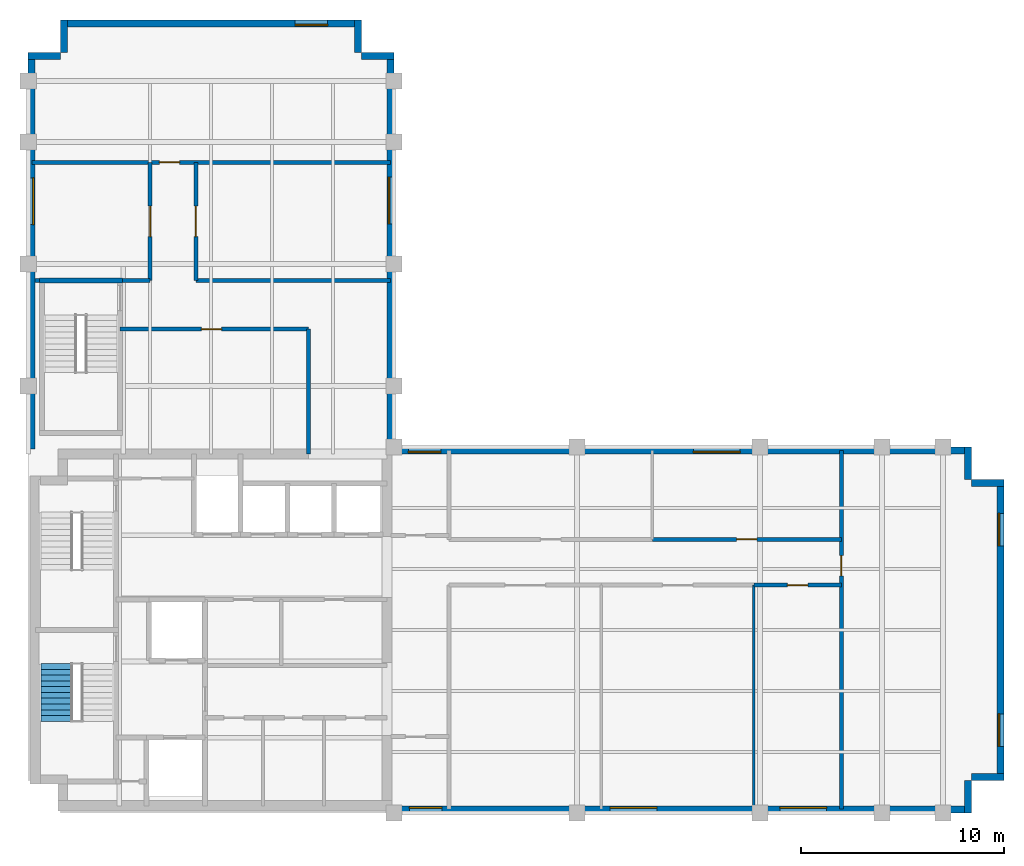
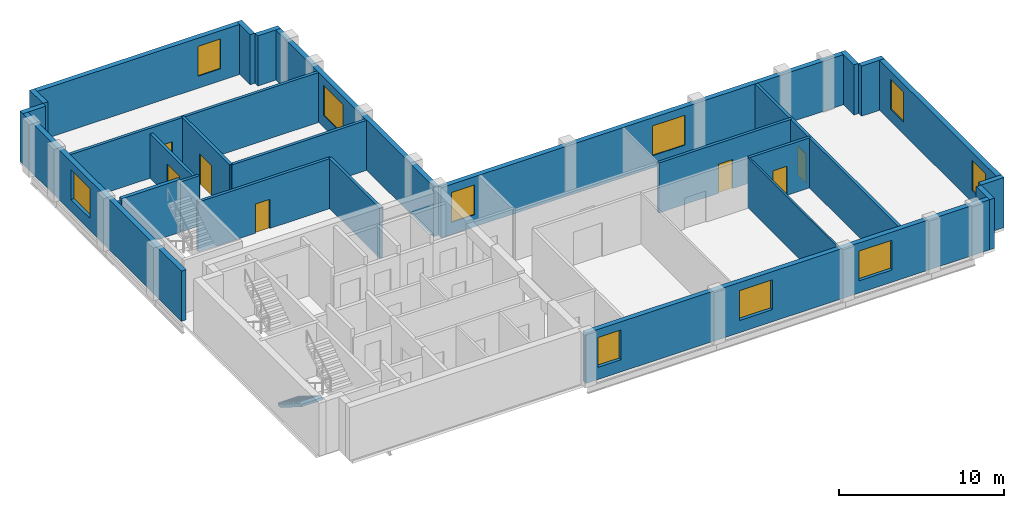
# One storey, part 4 of 6: 27 walls, 10 windows, 7 doors, 1 stair flight, 17 openings, 1 element without a shape of its own.
"""IFC4 building model written with IfcOpenShell, lengths in metres."""

import ifcopenshell
import ifcopenshell.guid

model = None  # the IFC model being written
_history = None  # IfcOwnerHistory: only IFC2X3 demands one
_inside = {}  # id of a spatial element -> (the spatial element, [elements in it])
_under = {}  # id of a project, library or spatial element -> (it, [spatial elements below it])
_declared = {}  # id of a project -> (the project, [libraries it declares])
_typed = {}  # id of a type object -> (the type object, [elements of that type])
_made_of = {}  # id of a material, layer set ... -> (it, [elements and type objects made of it])


def new_model(schema):
    """Start an empty IFC model of exactly this schema.

    Asked for "IFC4X3", IfcOpenShell would pick the latest addendum, in which some entities
    have other attributes; the version numbers below select the first issue.
    IFC2X3 requires an IfcOwnerHistory on every rooted entity: one is made here for all.
    """
    global model, _history
    if schema == "IFC4X3":
        model = ifcopenshell.file(schema_version=(4, 3, 0, 0))
    else:
        model = ifcopenshell.file(schema=schema)
    _inside.clear()
    _under.clear()
    _declared.clear()
    _typed.clear()
    _made_of.clear()
    _history = None
    if model.schema == "IFC2X3":
        org = make("IfcOrganization", Name="unknown")
        user = make(
            "IfcPersonAndOrganization",
            ThePerson=make("IfcPerson", FamilyName="unknown"),
            TheOrganization=org,
        )
        app = make(
            "IfcApplication",
            ApplicationDeveloper=org,
            Version="unknown",
            ApplicationFullName="unknown",
            ApplicationIdentifier="unknown",
        )
        _history = make(
            "IfcOwnerHistory",
            OwningUser=user,
            OwningApplication=app,
            ChangeAction="ADDED",
            CreationDate=0,
        )
    return model


def make(cls, **values):
    """One entity of the class cls with the attributes given. An attribute that is None is left unset."""
    return model.create_entity(
        cls, **{name: value for name, value in values.items() if value is not None}
    )


def rooted(cls, **values):
    """An entity with a GlobalId (a new one), such as an element, a storey or a relation."""
    return make(cls, GlobalId=ifcopenshell.guid.new(), OwnerHistory=_history, **values)


def si_unit(unit_type, name, prefix=None):
    """IfcSIUnit, for example si_unit("LENGTHUNIT", "METRE", prefix="MILLI")."""
    return make("IfcSIUnit", UnitType=unit_type, Prefix=prefix, Name=name)


def assignment(units):
    """IfcUnitAssignment: the units of a project."""
    return None if units is None else make("IfcUnitAssignment", Units=units)


def point(xyz):
    """IfcCartesianPoint."""
    return None if xyz is None else make("IfcCartesianPoint", Coordinates=xyz)


def direction(xyz):
    """IfcDirection."""
    return None if xyz is None else make("IfcDirection", DirectionRatios=xyz)


def frame(location, z_axis=None, x_axis=None):
    """IfcAxis2Placement3D, a coordinate frame: its origin and axes. An axis left out is left unset."""
    return make(
        "IfcAxis2Placement3D",
        Location=point(location),
        Axis=direction(z_axis),
        RefDirection=direction(x_axis),
    )


def frame_2d(location, x_axis=None):
    """IfcAxis2Placement2D, a coordinate frame in the plane: its origin and x axis."""
    return make(
        "IfcAxis2Placement2D", Location=point(location), RefDirection=direction(x_axis)
    )


def origin():
    """The frame at (0, 0, 0) with its axes left unset."""
    return frame((0.0, 0.0, 0.0))


def place(relative_to, where):
    """IfcLocalPlacement: puts the frame where relative to a parent placement (None: the world)."""
    return make(
        "IfcLocalPlacement", PlacementRelTo=relative_to, RelativePlacement=where
    )


def context(
    kind, dimensions, precision=None, world=None, true_north=None, identifier=None
):
    """IfcGeometricRepresentationContext, for example the 3D "Model" context."""
    return make(
        "IfcGeometricRepresentationContext",
        ContextIdentifier=identifier,
        ContextType=kind,
        CoordinateSpaceDimension=dimensions,
        Precision=precision,
        WorldCoordinateSystem=world,
        TrueNorth=true_north,
    )


def subcontext(parent, identifier, kind, view, scale=None):
    """IfcGeometricRepresentationSubContext, for example "Body" below "Model"."""
    return make(
        "IfcGeometricRepresentationSubContext",
        ContextIdentifier=identifier,
        ContextType=kind,
        ParentContext=parent,
        TargetScale=scale,
        TargetView=view,
    )


def project(units=None, contexts=None):
    """IfcProject with its units and contexts."""
    return rooted(
        "IfcProject",
        Name="project",
        RepresentationContexts=contexts,
        UnitsInContext=assignment(units),
    )


def spatial(cls, under=None, at=None, **own):
    """A site, building, storey or space (cls), placed at a placement, below another one or the project."""
    s = rooted(cls, ObjectPlacement=at, **own)
    if under is not None:
        _under.setdefault(under.id(), (under, []))[1].append(s)
    return s


def polyline(points):
    """IfcPolyline through the points."""
    return make("IfcPolyline", Points=[point(p) for p in points])


def profile(cls, at=None, kind="AREA", **sizes):
    """A parametric profile (cls). Its sizes go by their IFC names, for example OverallWidth=200.0."""
    return make(cls, ProfileType=kind, Position=at, **sizes)


def rectangle(**sizes):
    """IfcRectangleProfileDef."""
    return profile("IfcRectangleProfileDef", **sizes)


def outline(outer, holes=None, kind="AREA"):
    """IfcArbitraryClosedProfileDef: a profile drawn as a closed curve; with holes, ...WithVoids."""
    if holes is None:
        return make("IfcArbitraryClosedProfileDef", ProfileType=kind, OuterCurve=outer)
    return make(
        "IfcArbitraryProfileDefWithVoids",
        ProfileType=kind,
        OuterCurve=outer,
        InnerCurves=holes,
    )


def extrude(swept, where, along, depth):
    """IfcExtrudedAreaSolid: the profile swept, set in the frame where, extruded along a direction by depth."""
    return make(
        "IfcExtrudedAreaSolid",
        SweptArea=swept,
        Position=where,
        ExtrudedDirection=direction(along),
        Depth=depth,
    )


def shape(context_of_items, identifier, shape_type, items):
    """IfcShapeRepresentation: the items that make up one representation, for example the "Body"."""
    return make(
        "IfcShapeRepresentation",
        ContextOfItems=context_of_items,
        RepresentationIdentifier=identifier,
        RepresentationType=shape_type,
        Items=items,
    )


def material(Name=None, Category=None):
    """IfcMaterial."""
    return make("IfcMaterial", Name=Name, Category=Category)


def layer(
    of_material, thickness, ventilated=None, Name=None, Category=None, Priority=None
):
    """IfcMaterialLayer: one layer of a wall or slab, of a material (None: an air gap)."""
    return make(
        "IfcMaterialLayer",
        Material=of_material,
        LayerThickness=thickness,
        IsVentilated=ventilated,
        Name=Name,
        Category=Category,
        Priority=Priority,
    )


def layer_set(layers, Name=None):
    """IfcMaterialLayerSet."""
    return make("IfcMaterialLayerSet", MaterialLayers=layers, LayerSetName=Name)


def made_of(thing, what):
    """Note that an element or type object is made of a material, layer set ...; save() writes the relation."""
    if what is not None:
        _made_of.setdefault(what.id(), (what, []))[1].append(thing)
    return thing


def type_object(cls, material=None, **own):
    """A type object (cls), such as IfcWallType, which elements share."""
    return made_of(rooted(cls, **own), material)


def element(
    cls,
    number,
    at=None,
    inside=None,
    cuts=None,
    type_object=None,
    material=None,
    context=None,
    identifier="Body",
    shape_type=None,
    held_by="IfcProductDefinitionShape",
    body=None,
    shapes=None,
    **own,
):
    """One element of the class cls, such as IfcWall. Its Tag is "e" and its number.

    at: its placement. inside: the storey or other place that contains it. cuts: it is an
    opening in that element (IfcRelVoidsElement). A single representation is given by context,
    identifier, shape_type and body (its items); several are given by shapes. held_by: the class
    of the entity that holds the representations. save() writes the other relations.
    """
    e = rooted(cls, Tag="e%d" % number, ObjectPlacement=at, **own)
    if body is not None:
        shapes = [shape(context, identifier, shape_type, body)]
    if shapes is not None:
        e.Representation = make(held_by, Representations=shapes)
    if inside is not None:
        _inside.setdefault(inside.id(), (inside, []))[1].append(e)
    if cuts is not None:
        rooted(
            "IfcRelVoidsElement", RelatingBuildingElement=cuts, RelatedOpeningElement=e
        )
    if type_object is not None:
        _typed.setdefault(type_object.id(), (type_object, []))[1].append(e)
    return made_of(e, material)


def fill(opening, filler):
    """IfcRelFillsElement: the door or window that sits in an opening."""
    return rooted(
        "IfcRelFillsElement",
        RelatingOpeningElement=opening,
        RelatedBuildingElement=filler,
    )


def aggregate(whole, parts):
    """IfcRelAggregates: a whole, such as a stair, and the parts it consists of."""
    return rooted("IfcRelAggregates", RelatingObject=whole, RelatedObjects=parts)


def save(model, path):
    """Write the relations noted so far, then the file.

    IfcRelAggregates (storeys below a building ...), IfcRelContainedInSpatialStructure (elements
    in a storey), IfcRelDefinesByType, IfcRelAssociatesMaterial and IfcRelDeclares: one each for
    every whole, place, type object, material and project.
    """
    for whole, parts in _under.values():
        aggregate(whole, parts)
    for where, things in _inside.values():
        rooted(
            "IfcRelContainedInSpatialStructure",
            RelatedElements=things,
            RelatingStructure=where,
        )
    for kind, things in _typed.values():
        rooted("IfcRelDefinesByType", RelatedObjects=things, RelatingType=kind)
    for what, things in _made_of.values():
        rooted("IfcRelAssociatesMaterial", RelatedObjects=things, RelatingMaterial=what)
    for by, libraries in _declared.values():
        rooted("IfcRelDeclares", RelatingContext=by, RelatedDefinitions=libraries)
    model.write(path)


model = new_model("IFC4")

# Units and contexts
model_context = context("Model", 3, precision=1e-05, world=origin(), true_north=direction((0.0, 1.0)))
body_context = subcontext(model_context, "Body", "Model", "MODEL_VIEW")
ifc_project = project(units=[si_unit("LENGTHUNIT", "METRE"), si_unit("AREAUNIT", "SQUARE_METRE"), si_unit("VOLUMEUNIT", "CUBIC_METRE"), si_unit("PLANEANGLEUNIT", "RADIAN"), si_unit("MASSUNIT", "GRAM", prefix="KILO")], contexts=[model_context])

# Site, building, storey
site_placement = place(None, origin())
site = spatial("IfcSite", under=ifc_project, at=site_placement, CompositionType="ELEMENT")
building_placement = place(site_placement, origin())
building = spatial("IfcBuilding", under=site, at=building_placement, Name="Mawjdan Bourse Tower", CompositionType="ELEMENT")
storey_placement = place(building_placement, frame((0.0, 0.0, 246.89990234375)))
storey = spatial("IfcBuildingStorey", under=building, at=storey_placement, Name="L60", CompositionType="ELEMENT", Elevation=246.89990234375)

# Wall, openings, windows
ifc_material_1 = material(Name="Brick Masonry Buff", Category="masonry")
ifc_layer_1 = layer(ifc_material_1, 0.340087890625)
ifc_layer_set_1 = layer_set([ifc_layer_1], Name="Brick Masonry Buff")
wall_type_1 = type_object("IfcWallType", Name="WL-BRK-SPN-340", PredefinedType="STANDARD", material=ifc_layer_set_1)
wall_1_placement = place(storey_placement, frame((23.89990234375, 3.169921875, 0.0), z_axis=(0.0, 0.0, 1.0), x_axis=(1.0, 0.0, 0.0)))
wall_1 = element("IfcWall", 1, at=wall_1_placement, inside=storey, type_object=wall_type_1, Name="L60 Exterior Brick Wall 1", PredefinedType="STANDARD", context=body_context, shape_type="SweptSolid", body=[
    extrude(rectangle(XDim=28.5, YDim=0.340087890625, at=frame_2d((14.25, 0.0))), origin(), (0.0, 0.0, 1.0), 3.7001953125),
])
opening_1_placement = place(wall_1_placement, frame((10.72509765625, 0.0, 0.89990234375)))
opening_1 = element("IfcOpeningElement", 2, at=opening_1_placement, cuts=wall_1, Name="Opening W-L60-01", PredefinedType="OPENING", context=body_context, shape_type="SweptSolid", body=[
    extrude(rectangle(XDim=2.300048828125, YDim=2.199951171875, at=frame_2d((1.14990234375, 1.10009765625))), frame((0.0, 0.18017578125, 0.0), z_axis=(0.0, -1.0, 0.0), x_axis=(1.0, 0.0, 0.0)), (0.0, 0.0, 1.0), 0.360107421875),
])
opening_2_placement = place(wall_1_placement, frame((0.85009765625, 0.0, 0.89990234375)))
opening_2 = element("IfcOpeningElement", 3, at=opening_2_placement, cuts=wall_1, Name="Opening W-L60-07", PredefinedType="OPENING", context=body_context, shape_type="SweptSolid", body=[
    extrude(rectangle(XDim=1.60009765625, YDim=2.199951171875, at=frame_2d((0.800048828125, 1.10009765625))), frame((0.0, 0.18017578125, 0.0), z_axis=(0.0, -1.0, 0.0), x_axis=(1.0, 0.0, 0.0)), (0.0, 0.0, 1.0), 0.360107421875),
])
opening_3_placement = place(wall_1_placement, frame((19.07470703125, 0.0, 0.89990234375)))
opening_3 = element("IfcOpeningElement", 4, at=opening_3_placement, cuts=wall_1, Name="Opening W-L60-09", PredefinedType="OPENING", context=body_context, shape_type="SweptSolid", body=[
    extrude(rectangle(XDim=2.300048828125, YDim=2.199951171875, at=frame_2d((1.14990234375, 1.10009765625))), frame((0.0, 0.18017578125, 0.0), z_axis=(0.0, -1.0, 0.0), x_axis=(1.0, 0.0, 0.0)), (0.0, 0.0, 1.0), 0.360107421875),
])
ifc_material_2 = material(Name="Solar-Control Clear Double Glazing", Category="glass")
window_type_1 = type_object("IfcWindowType", Name="WN-Z3-1600", PartitioningType="SINGLE_PANEL", PredefinedType="WINDOW", material=ifc_material_2)
window_1_placement = place(opening_2_placement, origin())
window_1 = element("IfcWindow", 5, at=window_1_placement, inside=storey, type_object=window_type_1, Name="L60 Deep-Set Masonry Window W-L60-07", OverallHeight=2.199951171875, OverallWidth=1.60009765625, PartitioningType="SINGLE_PANEL", PredefinedType="WINDOW", context=body_context, shape_type="SweptSolid", body=[
    extrude(rectangle(XDim=1.60009765625, YDim=2.199951171875, at=frame_2d((0.800048828125, 1.10009765625))), frame((0.0, 0.110107421875, 0.0), z_axis=(0.0, -1.0, 0.0), x_axis=(1.0, 0.0, 0.0)), (0.0, 0.0, 1.0), 0.06005859375),
])
fill(opening_2, window_1)
window_type_2 = type_object("IfcWindowType", Name="WN-Z3-2300", PartitioningType="SINGLE_PANEL", PredefinedType="WINDOW", material=ifc_material_2)
window_2_placement = place(opening_1_placement, origin())
window_2 = element("IfcWindow", 6, at=window_2_placement, inside=storey, type_object=window_type_2, Name="L60 Deep-Set Masonry Window W-L60-01", OverallHeight=2.199951171875, OverallWidth=2.300048828125, PartitioningType="SINGLE_PANEL", PredefinedType="WINDOW", context=body_context, shape_type="SweptSolid", body=[
    extrude(rectangle(XDim=2.300048828125, YDim=2.199951171875, at=frame_2d((1.14990234375, 1.10009765625))), frame((0.0, 0.110107421875, 0.0), z_axis=(0.0, -1.0, 0.0), x_axis=(1.0, 0.0, 0.0)), (0.0, 0.0, 1.0), 0.06005859375),
])
fill(opening_1, window_2)
window_3_placement = place(opening_3_placement, origin())
window_3 = element("IfcWindow", 7, at=window_3_placement, inside=storey, type_object=window_type_2, Name="L60 Deep-Set Masonry Window W-L60-09", OverallHeight=2.199951171875, OverallWidth=2.300048828125, PartitioningType="SINGLE_PANEL", PredefinedType="WINDOW", context=body_context, shape_type="SweptSolid", body=[
    extrude(rectangle(XDim=2.300048828125, YDim=2.199951171875, at=frame_2d((1.14990234375, 1.10009765625))), frame((0.0, 0.110107421875, 0.0), z_axis=(0.0, -1.0, 0.0), x_axis=(1.0, 0.0, 0.0)), (0.0, 0.0, 1.0), 0.06005859375),
])
fill(opening_3, window_3)

# Walls
for number, where, z_axis, x_axis, name in (
    (8, (52.22998046875, 3.0, 0.0), (0.0, 0.0, 1.0), (0.0, 1.0, 0.0), "L60 Exterior Brick Wall 2"),
    (9, (52.39990234375, 4.77001953125, 0.0), (0.0, 0.0, 1.0), (1.0, 0.0, 0.0), "L60 Exterior Brick Wall 3"),
):
    element("IfcWall", number, at=place(storey_placement, frame(where, z_axis=z_axis, x_axis=x_axis)), inside=storey, type_object=wall_type_1, Name=name, PredefinedType="STANDARD", context=body_context, shape_type="SweptSolid", body=[
        extrude(rectangle(XDim=1.60009765625, YDim=0.340087890625, at=frame_2d((0.800048828125, 0.0))), origin(), (0.0, 0.0, 1.0), 3.7001953125),
    ])

# Wall, openings, windows
wall_2_placement = place(storey_placement, frame((53.830078125, 4.60009765625, 0.0), z_axis=(0.0, 0.0, 1.0), x_axis=(0.0, 1.0, 0.0)))
wall_2 = element("IfcWall", 10, at=wall_2_placement, inside=storey, type_object=wall_type_1, Name="L60 Exterior Brick Wall 4", PredefinedType="STANDARD", context=body_context, shape_type="SweptSolid", body=[
    extrude(rectangle(XDim=14.7998046875, YDim=0.340087890625, at=frame_2d((7.39990234375, 0.0))), origin(), (0.0, 0.0, 1.0), 3.7001953125),
])
opening_4_placement = place(wall_2_placement, frame((1.666748046875, 0.0, 0.89990234375)))
opening_4 = element("IfcOpeningElement", 11, at=opening_4_placement, cuts=wall_2, Name="Opening W-L60-02", PredefinedType="OPENING", context=body_context, shape_type="SweptSolid", body=[
    extrude(rectangle(XDim=1.60009765625, YDim=2.199951171875, at=frame_2d((0.800048828125, 1.10009765625))), frame((0.0, 0.18017578125, 0.0), z_axis=(0.0, -1.0, 0.0), x_axis=(1.0, 0.0, 0.0)), (0.0, 0.0, 1.0), 0.360107421875),
])
opening_5_placement = place(wall_2_placement, frame((11.533203125, 0.0, 0.89990234375)))
opening_5 = element("IfcOpeningElement", 12, at=opening_5_placement, cuts=wall_2, Name="Opening W-L60-03", PredefinedType="OPENING", context=body_context, shape_type="SweptSolid", body=[
    extrude(rectangle(XDim=1.60009765625, YDim=2.199951171875, at=frame_2d((0.800048828125, 1.10009765625))), frame((0.0, 0.18017578125, 0.0), z_axis=(0.0, -1.0, 0.0), x_axis=(1.0, 0.0, 0.0)), (0.0, 0.0, 1.0), 0.360107421875),
])
window_4_placement = place(opening_4_placement, origin())
window_4 = element("IfcWindow", 13, at=window_4_placement, inside=storey, type_object=window_type_1, Name="L60 Deep-Set Masonry Window W-L60-02", OverallHeight=2.199951171875, OverallWidth=1.60009765625, PartitioningType="SINGLE_PANEL", PredefinedType="WINDOW", context=body_context, shape_type="SweptSolid", body=[
    extrude(rectangle(XDim=1.60009765625, YDim=2.199951171875, at=frame_2d((0.800048828125, 1.10009765625))), frame((0.0, 0.110107421875, 0.0), z_axis=(0.0, -1.0, 0.0), x_axis=(1.0, 0.0, 0.0)), (0.0, 0.0, 1.0), 0.06005859375),
])
fill(opening_4, window_4)
window_5_placement = place(opening_5_placement, origin())
window_5 = element("IfcWindow", 14, at=window_5_placement, inside=storey, type_object=window_type_1, Name="L60 Deep-Set Masonry Window W-L60-03", OverallHeight=2.199951171875, OverallWidth=1.60009765625, PartitioningType="SINGLE_PANEL", PredefinedType="WINDOW", context=body_context, shape_type="SweptSolid", body=[
    extrude(rectangle(XDim=1.60009765625, YDim=2.199951171875, at=frame_2d((0.800048828125, 1.10009765625))), frame((0.0, 0.110107421875, 0.0), z_axis=(0.0, -1.0, 0.0), x_axis=(1.0, 0.0, 0.0)), (0.0, 0.0, 1.0), 0.06005859375),
])
fill(opening_5, window_5)

# Walls
for number, where, z_axis, x_axis, name in (
    (15, (54.0, 19.22998046875, 0.0), (0.0, 0.0, 1.0), (-1.0, 0.0, 0.0), "L60 Exterior Brick Wall 5"),
    (16, (52.22998046875, 19.39990234375, 0.0), (0.0, 0.0, 1.0), (0.0, 1.0, 0.0), "L60 Exterior Brick Wall 6"),
):
    element("IfcWall", number, at=place(storey_placement, frame(where, z_axis=z_axis, x_axis=x_axis)), inside=storey, type_object=wall_type_1, Name=name, PredefinedType="STANDARD", context=body_context, shape_type="SweptSolid", body=[
        extrude(rectangle(XDim=1.60009765625, YDim=0.340087890625, at=frame_2d((0.800048828125, 0.0))), origin(), (0.0, 0.0, 1.0), 3.7001953125),
    ])

# Wall, openings, windows
wall_3_placement = place(storey_placement, frame((52.39990234375, 20.830078125, 0.0), z_axis=(0.0, 0.0, 1.0), x_axis=(-1.0, 0.0, 0.0)))
wall_3 = element("IfcWall", 17, at=wall_3_placement, inside=storey, type_object=wall_type_1, Name="L60 Exterior Brick Wall 7", PredefinedType="STANDARD", context=body_context, shape_type="SweptSolid", body=[
    extrude(rectangle(XDim=28.39990234375, YDim=0.340087890625, at=frame_2d((14.199951171875, 0.0))), origin(), (0.0, 0.0, 1.0), 3.7001953125),
])
opening_6_placement = place(wall_3_placement, frame((26.095703125, 0.0, 0.89990234375)))
opening_6 = element("IfcOpeningElement", 18, at=opening_6_placement, cuts=wall_3, Name="Opening W-L60-08", PredefinedType="OPENING", context=body_context, shape_type="SweptSolid", body=[
    extrude(rectangle(XDim=1.60009765625, YDim=2.199951171875, at=frame_2d((0.800048828125, 1.10009765625))), frame((0.0, 0.18017578125, 0.0), z_axis=(0.0, -1.0, 0.0), x_axis=(1.0, 0.0, 0.0)), (0.0, 0.0, 1.0), 0.360107421875),
])
opening_7_placement = place(wall_3_placement, frame((11.374755859375, 0.0, 0.89990234375)))
opening_7 = element("IfcOpeningElement", 19, at=opening_7_placement, cuts=wall_3, Name="Opening W-L60-10", PredefinedType="OPENING", context=body_context, shape_type="SweptSolid", body=[
    extrude(rectangle(XDim=2.300048828125, YDim=2.199951171875, at=frame_2d((1.14990234375, 1.10009765625))), frame((0.0, 0.18017578125, 0.0), z_axis=(0.0, -1.0, 0.0), x_axis=(1.0, 0.0, 0.0)), (0.0, 0.0, 1.0), 0.360107421875),
])
window_6_placement = place(opening_6_placement, origin())
window_6 = element("IfcWindow", 20, at=window_6_placement, inside=storey, type_object=window_type_1, Name="L60 Deep-Set Masonry Window W-L60-08", OverallHeight=2.199951171875, OverallWidth=1.60009765625, PartitioningType="SINGLE_PANEL", PredefinedType="WINDOW", context=body_context, shape_type="SweptSolid", body=[
    extrude(rectangle(XDim=1.60009765625, YDim=2.199951171875, at=frame_2d((0.800048828125, 1.10009765625))), frame((0.0, 0.110107421875, 0.0), z_axis=(0.0, -1.0, 0.0), x_axis=(1.0, 0.0, 0.0)), (0.0, 0.0, 1.0), 0.06005859375),
])
fill(opening_6, window_6)
window_7_placement = place(opening_7_placement, origin())
window_7 = element("IfcWindow", 21, at=window_7_placement, inside=storey, type_object=window_type_2, Name="L60 Deep-Set Masonry Window W-L60-10", OverallHeight=2.199951171875, OverallWidth=2.300048828125, PartitioningType="SINGLE_PANEL", PredefinedType="WINDOW", context=body_context, shape_type="SweptSolid", body=[
    extrude(rectangle(XDim=2.300048828125, YDim=2.199951171875, at=frame_2d((1.14990234375, 1.10009765625))), frame((0.0, 0.110107421875, 0.0), z_axis=(0.0, -1.0, 0.0), x_axis=(1.0, 0.0, 0.0)), (0.0, 0.0, 1.0), 0.06005859375),
])
fill(opening_7, window_7)

# Wall, opening, window
wall_4_placement = place(storey_placement, frame((23.830078125, 21.0, 0.0), z_axis=(0.0, 0.0, 1.0), x_axis=(0.0, 1.0, 0.0)))
wall_4 = element("IfcWall", 22, at=wall_4_placement, inside=storey, type_object=wall_type_1, Name="L60 Exterior Brick Wall 8", PredefinedType="STANDARD", context=body_context, shape_type="SweptSolid", body=[
    extrude(rectangle(XDim=19.39990234375, YDim=0.340087890625, at=frame_2d((9.699951171875, 0.0))), origin(), (0.0, 0.0, 1.0), 3.7001953125),
])
opening_8_placement = place(wall_4_placement, frame((10.97509765625, 0.0, 0.89990234375)))
opening_8 = element("IfcOpeningElement", 23, at=opening_8_placement, cuts=wall_4, Name="Opening W-L60-04", PredefinedType="OPENING", context=body_context, shape_type="SweptSolid", body=[
    extrude(rectangle(XDim=2.300048828125, YDim=2.199951171875, at=frame_2d((1.14990234375, 1.10009765625))), frame((0.0, 0.18017578125, 0.0), z_axis=(0.0, -1.0, 0.0), x_axis=(1.0, 0.0, 0.0)), (0.0, 0.0, 1.0), 0.360107421875),
])
window_8_placement = place(opening_8_placement, origin())
window_8 = element("IfcWindow", 24, at=window_8_placement, inside=storey, type_object=window_type_2, Name="L60 Deep-Set Masonry Window W-L60-04", OverallHeight=2.199951171875, OverallWidth=2.300048828125, PartitioningType="SINGLE_PANEL", PredefinedType="WINDOW", context=body_context, shape_type="SweptSolid", body=[
    extrude(rectangle(XDim=2.300048828125, YDim=2.199951171875, at=frame_2d((1.14990234375, 1.10009765625))), frame((0.0, 0.110107421875, 0.0), z_axis=(0.0, -1.0, 0.0), x_axis=(1.0, 0.0, 0.0)), (0.0, 0.0, 1.0), 0.06005859375),
])
fill(opening_8, window_8)

# Walls
for number, where, z_axis, x_axis, name in (
    (25, (24.0, 40.22998046875, 0.0), (0.0, 0.0, 1.0), (-1.0, 0.0, 0.0), "L60 Exterior Brick Wall 9"),
    (26, (22.22998046875, 40.39990234375, 0.0), (0.0, 0.0, 1.0), (0.0, 1.0, 0.0), "L60 Exterior Brick Wall 10"),
):
    element("IfcWall", number, at=place(storey_placement, frame(where, z_axis=z_axis, x_axis=x_axis)), inside=storey, type_object=wall_type_1, Name=name, PredefinedType="STANDARD", context=body_context, shape_type="SweptSolid", body=[
        extrude(rectangle(XDim=1.60009765625, YDim=0.340087890625, at=frame_2d((0.800048828125, 0.0))), origin(), (0.0, 0.0, 1.0), 3.7001953125),
    ])

# Wall, opening, window
wall_5_placement = place(storey_placement, frame((22.39990234375, 41.830078125, 0.0), z_axis=(0.0, 0.0, 1.0), x_axis=(-1.0, 0.0, 0.0)))
wall_5 = element("IfcWall", 27, at=wall_5_placement, inside=storey, type_object=wall_type_1, Name="L60 Exterior Brick Wall 11", PredefinedType="STANDARD", context=body_context, shape_type="SweptSolid", body=[
    extrude(rectangle(XDim=14.7998046875, YDim=0.340087890625, at=frame_2d((7.39990234375, 0.0))), origin(), (0.0, 0.0, 1.0), 3.7001953125),
])
opening_9_placement = place(wall_5_placement, frame((1.666748046875, 0.0, 0.89990234375)))
opening_9 = element("IfcOpeningElement", 28, at=opening_9_placement, cuts=wall_5, Name="Opening W-L60-05", PredefinedType="OPENING", context=body_context, shape_type="SweptSolid", body=[
    extrude(rectangle(XDim=1.60009765625, YDim=2.199951171875, at=frame_2d((0.800048828125, 1.10009765625))), frame((0.0, 0.18017578125, 0.0), z_axis=(0.0, -1.0, 0.0), x_axis=(1.0, 0.0, 0.0)), (0.0, 0.0, 1.0), 0.360107421875),
])
window_9_placement = place(opening_9_placement, origin())
window_9 = element("IfcWindow", 29, at=window_9_placement, inside=storey, type_object=window_type_1, Name="L60 Deep-Set Masonry Window W-L60-05", OverallHeight=2.199951171875, OverallWidth=1.60009765625, PartitioningType="SINGLE_PANEL", PredefinedType="WINDOW", context=body_context, shape_type="SweptSolid", body=[
    extrude(rectangle(XDim=1.60009765625, YDim=2.199951171875, at=frame_2d((0.800048828125, 1.10009765625))), frame((0.0, 0.110107421875, 0.0), z_axis=(0.0, -1.0, 0.0), x_axis=(1.0, 0.0, 0.0)), (0.0, 0.0, 1.0), 0.06005859375),
])
fill(opening_9, window_9)

# Walls
for number, where, z_axis, x_axis, name in (
    (30, (7.77001953125, 42.0, 0.0), (0.0, 0.0, 1.0), (0.0, -1.0, 0.0), "L60 Exterior Brick Wall 12"),
    (31, (7.60009765625, 40.22998046875, 0.0), (0.0, 0.0, 1.0), (-1.0, 0.0, 0.0), "L60 Exterior Brick Wall 13"),
):
    element("IfcWall", number, at=place(storey_placement, frame(where, z_axis=z_axis, x_axis=x_axis)), inside=storey, type_object=wall_type_1, Name=name, PredefinedType="STANDARD", context=body_context, shape_type="SweptSolid", body=[
        extrude(rectangle(XDim=1.60009765625, YDim=0.340087890625, at=frame_2d((0.800048828125, 0.0))), origin(), (0.0, 0.0, 1.0), 3.7001953125),
    ])

# Wall, opening, window
wall_6_placement = place(storey_placement, frame((6.169921875, 40.39990234375, 0.0), z_axis=(0.0, 0.0, 1.0), x_axis=(0.0, -1.0, 0.0)))
wall_6 = element("IfcWall", 32, at=wall_6_placement, inside=storey, type_object=wall_type_1, Name="L60 Exterior Brick Wall 14", PredefinedType="STANDARD", context=body_context, shape_type="SweptSolid", body=[
    extrude(rectangle(XDim=19.5, YDim=0.340087890625, at=frame_2d((9.75, 0.0))), origin(), (0.0, 0.0, 1.0), 3.7001953125),
])
opening_10_placement = place(wall_6_placement, frame((6.16259765625, 0.0, 0.89990234375)))
opening_10 = element("IfcOpeningElement", 33, at=opening_10_placement, cuts=wall_6, Name="Opening W-L60-06", PredefinedType="OPENING", context=body_context, shape_type="SweptSolid", body=[
    extrude(rectangle(XDim=2.300048828125, YDim=2.199951171875, at=frame_2d((1.14990234375, 1.10009765625))), frame((0.0, 0.18017578125, 0.0), z_axis=(0.0, -1.0, 0.0), x_axis=(1.0, 0.0, 0.0)), (0.0, 0.0, 1.0), 0.360107421875),
])
window_10_placement = place(opening_10_placement, origin())
window_10 = element("IfcWindow", 34, at=window_10_placement, inside=storey, type_object=window_type_2, Name="L60 Deep-Set Masonry Window W-L60-06", OverallHeight=2.199951171875, OverallWidth=2.300048828125, PartitioningType="SINGLE_PANEL", PredefinedType="WINDOW", context=body_context, shape_type="SweptSolid", body=[
    extrude(rectangle(XDim=2.300048828125, YDim=2.199951171875, at=frame_2d((1.14990234375, 1.10009765625))), frame((0.0, 0.110107421875, 0.0), z_axis=(0.0, -1.0, 0.0), x_axis=(1.0, 0.0, 0.0)), (0.0, 0.0, 1.0), 0.06005859375),
])
fill(opening_10, window_10)

# Wall, opening, door
ifc_material_3 = material(Name="Gypsum Fireboard Assembly")
ifc_layer_2 = layer(ifc_material_3, 0.199951171875)
ifc_layer_set_2 = layer_set([ifc_layer_2], Name="Gypsum Fireboard Assembly")
wall_type_2 = type_object("IfcWallType", Name="WL-CMP-200", PredefinedType="PARTITIONING", material=ifc_layer_set_2)
wall_7_placement = place(storey_placement, frame((41.699951171875, 14.199951171875, 0.0), z_axis=(0.0, 0.0, 1.0), x_axis=(1.0, 0.0, 0.0)))
wall_7 = element("IfcWall", 35, at=wall_7_placement, inside=storey, type_object=wall_type_2, Name="L60 Executive Office Corridor Wall", PredefinedType="PARTITIONING", context=body_context, shape_type="SweptSolid", body=[
    extrude(rectangle(XDim=4.300048828125, YDim=0.199951171875, at=frame_2d((2.14990234375, 0.0))), origin(), (0.0, 0.0, 1.0), 3.690185546875),
])
opening_11_placement = place(wall_7_placement, frame((1.64990234375, 0.0, 0.0)))
opening_11 = element("IfcOpeningElement", 36, at=opening_11_placement, cuts=wall_7, Name="Opening D-L60-24", PredefinedType="OPENING", context=body_context, shape_type="SweptSolid", body=[
    extrude(rectangle(XDim=1.0, YDim=2.14990234375, at=frame_2d((0.5, 1.074951171875))), frame((0.0, 0.10986328125, 0.0), z_axis=(0.0, -1.0, 0.0), x_axis=(1.0, 0.0, 0.0)), (0.0, 0.0, 1.0), 0.219970703125),
])
ifc_material_4 = material(Name="Hardwood Acoustic Leaf", Category="wood")
door_type_1 = type_object("IfcDoorType", Name="DR-OFC-1000", OperationType="NOTDEFINED", PredefinedType="DOOR", material=ifc_material_4)
door_1_placement = place(opening_11_placement, origin())
door_1 = element("IfcDoor", 37, at=door_1_placement, inside=storey, type_object=door_type_1, Name="L60 Executive Office Door D-L60-24", OperationType="SINGLE_SWING_RIGHT", OverallHeight=2.14990234375, OverallWidth=1.0, PredefinedType="DOOR", context=body_context, shape_type="SweptSolid", body=[
    extrude(rectangle(XDim=1.0, YDim=2.14990234375, at=frame_2d((0.5, 1.074951171875))), frame((0.0, 0.02490234375, 0.0), z_axis=(0.0, -1.0, 0.0), x_axis=(1.0, 0.0, 0.0)), (0.0, 0.0, 1.0), 0.050048828125),
])
fill(opening_11, door_1)

wall_8_placement = place(storey_placement, frame((36.699951171875, 16.449951171875, 0.0), z_axis=(0.0, 0.0, 1.0), x_axis=(1.0, 0.0, 0.0)))
wall_8 = element("IfcWall", 38, at=wall_8_placement, inside=storey, type_object=wall_type_2, Name="L60 Cross-Border Clearing Suite Corridor Wall", PredefinedType="PARTITIONING", context=body_context, shape_type="SweptSolid", body=[
    extrude(rectangle(XDim=9.300048828125, YDim=0.199951171875, at=frame_2d((4.64990234375, 0.0))), origin(), (0.0, 0.0, 1.0), 3.690185546875),
])
opening_12_placement = place(wall_8_placement, frame((4.14990234375, 0.0, 0.0)))
opening_12 = element("IfcOpeningElement", 39, at=opening_12_placement, cuts=wall_8, Name="Opening D-L60-26", PredefinedType="OPENING", context=body_context, shape_type="SweptSolid", body=[
    extrude(rectangle(XDim=1.0, YDim=2.14990234375, at=frame_2d((0.5, 1.074951171875))), frame((0.0, 0.10986328125, 0.0), z_axis=(0.0, -1.0, 0.0), x_axis=(1.0, 0.0, 0.0)), (0.0, 0.0, 1.0), 0.219970703125),
])
door_2_placement = place(opening_12_placement, origin())
door_2 = element("IfcDoor", 40, at=door_2_placement, inside=storey, type_object=door_type_1, Name="L60 Cross-Border Clearing Suite Door D-L60-26", OperationType="SINGLE_SWING_RIGHT", OverallHeight=2.14990234375, OverallWidth=1.0, PredefinedType="DOOR", context=body_context, shape_type="SweptSolid", body=[
    extrude(rectangle(XDim=1.0, YDim=2.14990234375, at=frame_2d((0.5, 1.074951171875))), frame((0.0, 0.02490234375, 0.0), z_axis=(0.0, -1.0, 0.0), x_axis=(1.0, 0.0, 0.0)), (0.0, 0.0, 1.0), 0.050048828125),
])
fill(opening_12, door_2)

wall_9_placement = place(storey_placement, frame((46.0, 3.179931640625, 0.0), z_axis=(0.0, 0.0, 1.0), x_axis=(0.0, 1.0, 0.0)))
wall_9 = element("IfcWall", 41, at=wall_9_placement, inside=storey, type_object=wall_type_2, Name="L60 East Tip Full Cross Wall", PredefinedType="PARTITIONING", context=body_context, shape_type="SweptSolid", body=[
    extrude(rectangle(XDim=17.64013671875, YDim=0.199951171875, at=frame_2d((8.820068359375, 0.0))), origin(), (0.0, 0.0, 1.0), 3.690185546875),
])
opening_13_placement = place(wall_9_placement, frame((11.47509765625, 0.0, 0.0)))
opening_13 = element("IfcOpeningElement", 42, at=opening_13_placement, cuts=wall_9, Name="Opening D-L60-27", PredefinedType="OPENING", context=body_context, shape_type="SweptSolid", body=[
    extrude(rectangle(XDim=1.0, YDim=2.14990234375, at=frame_2d((0.5, 1.074951171875))), frame((0.0, 0.10986328125, 0.0), z_axis=(0.0, -1.0, 0.0), x_axis=(1.0, 0.0, 0.0)), (0.0, 0.0, 1.0), 0.219970703125),
])
door_3_placement = place(opening_13_placement, origin())
door_3 = element("IfcDoor", 43, at=door_3_placement, inside=storey, type_object=door_type_1, Name="L60 East Tip Hall Door D-L60-27", OperationType="SINGLE_SWING_LEFT", OverallHeight=2.14990234375, OverallWidth=1.0, PredefinedType="DOOR", context=body_context, shape_type="SweptSolid", body=[
    extrude(rectangle(XDim=1.0, YDim=2.14990234375, at=frame_2d((0.5, 1.074951171875))), frame((0.0, 0.02490234375, 0.0), z_axis=(0.0, -1.0, 0.0), x_axis=(1.0, 0.0, 0.0)), (0.0, 0.0, 1.0), 0.050048828125),
])
fill(opening_13, door_3)

wall_10_placement = place(storey_placement, frame((10.52001953125, 26.800048828125, 0.0), z_axis=(0.0, 0.0, 1.0), x_axis=(1.0, 0.0, 0.0)))
wall_10 = element("IfcWall", 44, at=wall_10_placement, inside=storey, type_object=wall_type_2, Name="L60 North Throat North Wall", PredefinedType="PARTITIONING", context=body_context, shape_type="SweptSolid", body=[
    extrude(rectangle(XDim=9.280029296875, YDim=0.199951171875, at=frame_2d((4.64013671875, 0.0))), origin(), (0.0, 0.0, 1.0), 3.690185546875),
])
opening_14_placement = place(wall_10_placement, frame((4.0, 0.0, 0.0)))
opening_14 = element("IfcOpeningElement", 45, at=opening_14_placement, cuts=wall_10, Name="Opening D-L60-28", PredefinedType="OPENING", context=body_context, shape_type="SweptSolid", body=[
    extrude(rectangle(XDim=1.0, YDim=2.14990234375, at=frame_2d((0.5, 1.074951171875))), frame((0.0, 0.10986328125, 0.0), z_axis=(0.0, -1.0, 0.0), x_axis=(1.0, 0.0, 0.0)), (0.0, 0.0, 1.0), 0.219970703125),
])
door_4_placement = place(opening_14_placement, origin())
door_4 = element("IfcDoor", 46, at=door_4_placement, inside=storey, type_object=door_type_1, Name="L60 North Throat Suite Door D-L60-28", OperationType="SINGLE_SWING_RIGHT", OverallHeight=2.14990234375, OverallWidth=1.0, PredefinedType="DOOR", context=body_context, shape_type="SweptSolid", body=[
    extrude(rectangle(XDim=1.0, YDim=2.14990234375, at=frame_2d((0.5, 1.074951171875))), frame((0.0, 0.02490234375, 0.0), z_axis=(0.0, -1.0, 0.0), x_axis=(1.0, 0.0, 0.0)), (0.0, 0.0, 1.0), 0.050048828125),
])
fill(opening_14, door_4)

# Walls
wall_11_placement = place(storey_placement, frame((19.800048828125, 20.64990234375, 0.0), z_axis=(0.0, 0.0, 1.0), x_axis=(0.0, 1.0, 0.0)))
element("IfcWall", 47, at=wall_11_placement, inside=storey, type_object=wall_type_2, Name="L60 North Throat East Wall", PredefinedType="PARTITIONING", context=body_context, shape_type="SweptSolid", body=[
    extrude(rectangle(XDim=6.150146484375, YDim=0.199951171875, at=frame_2d((3.0751953125, 0.0))), origin(), (0.0, 0.0, 1.0), 3.690185546875),
])
wall_12_placement = place(storey_placement, frame((6.340087890625, 29.179931640625, 0.0), z_axis=(0.0, 0.0, 1.0), x_axis=(1.0, 0.0, 0.0)))
element("IfcWall", 48, at=wall_12_placement, inside=storey, type_object=wall_type_2, Name="L60 North West Band ST3 West Return", PredefinedType="PARTITIONING", context=body_context, shape_type="SweptSolid", body=[
    extrude(rectangle(XDim=0.21484375, YDim=0.199951171875, at=frame_2d((0.107421875, 0.0))), origin(), (0.0, 0.0, 1.0), 3.690185546875),
])
wall_13_placement = place(storey_placement, frame((10.6298828125, 29.179931640625, 0.0), z_axis=(0.0, 0.0, 1.0), x_axis=(1.0, 0.0, 0.0)))
element("IfcWall", 49, at=wall_13_placement, inside=storey, type_object=wall_type_2, Name="L60 North West Band South Wall", PredefinedType="PARTITIONING", context=body_context, shape_type="SweptSolid", body=[
    extrude(rectangle(XDim=1.3701171875, YDim=0.199951171875, at=frame_2d((0.68505859375, 0.0))), origin(), (0.0, 0.0, 1.0), 3.690185546875),
])
wall_14_placement = place(storey_placement, frame((14.25, 29.179931640625, 0.0), z_axis=(0.0, 0.0, 1.0), x_axis=(1.0, 0.0, 0.0)))
element("IfcWall", 50, at=wall_14_placement, inside=storey, type_object=wall_type_2, Name="L60 North East Band South Wall", PredefinedType="PARTITIONING", context=body_context, shape_type="SweptSolid", body=[
    extrude(rectangle(XDim=9.570068359375, YDim=0.199951171875, at=frame_2d((4.78515625, 0.0))), origin(), (0.0, 0.0, 1.0), 3.690185546875),
])

# Wall, opening, door
wall_15_placement = place(storey_placement, frame((12.0, 29.179931640625, 0.0), z_axis=(0.0, 0.0, 1.0), x_axis=(0.0, 1.0, 0.0)))
wall_15 = element("IfcWall", 51, at=wall_15_placement, inside=storey, type_object=wall_type_2, Name="L60 Conference Room Corridor Wall", PredefinedType="PARTITIONING", context=body_context, shape_type="SweptSolid", body=[
    extrude(rectangle(XDim=5.820068359375, YDim=0.199951171875, at=frame_2d((2.91015625, 0.0))), origin(), (0.0, 0.0, 1.0), 3.2861328125),
])
opening_15_placement = place(wall_15_placement, frame((2.159912109375, 0.0, 0.0)))
opening_15 = element("IfcOpeningElement", 52, at=opening_15_placement, cuts=wall_15, Name="Opening D-L60-29", PredefinedType="OPENING", context=body_context, shape_type="SweptSolid", body=[
    extrude(rectangle(XDim=1.5, YDim=2.300048828125, at=frame_2d((0.75, 1.14990234375))), frame((0.0, 0.10986328125, 0.0), z_axis=(0.0, -1.0, 0.0), x_axis=(1.0, 0.0, 0.0)), (0.0, 0.0, 1.0), 0.219970703125),
])
ifc_material_5 = material(Name="Acoustic Glazed Timber", Category="wood")
door_type_2 = type_object("IfcDoorType", Name="DR-CNF-1500", OperationType="DOUBLE_DOOR_SINGLE_SWING", PredefinedType="DOOR", material=ifc_material_5)
door_5_placement = place(opening_15_placement, origin())
door_5 = element("IfcDoor", 53, at=door_5_placement, inside=storey, type_object=door_type_2, Name="L60 Conference Room Door D-L60-29", OperationType="DOUBLE_DOOR_SINGLE_SWING", OverallHeight=2.300048828125, OverallWidth=1.5, PredefinedType="DOOR", context=body_context, shape_type="SweptSolid", body=[
    extrude(rectangle(XDim=1.5, YDim=2.300048828125, at=frame_2d((0.75, 1.14990234375))), frame((0.0, 0.02490234375, 0.0), z_axis=(0.0, -1.0, 0.0), x_axis=(1.0, 0.0, 0.0)), (0.0, 0.0, 1.0), 0.050048828125),
])
fill(opening_15, door_5)

wall_16_placement = place(storey_placement, frame((14.25, 29.179931640625, 0.0), z_axis=(0.0, 0.0, 1.0), x_axis=(0.0, 1.0, 0.0)))
wall_16 = element("IfcWall", 54, at=wall_16_placement, inside=storey, type_object=wall_type_2, Name="L60 Cross-Border Clearing Suite Corridor Wall", PredefinedType="PARTITIONING", context=body_context, shape_type="SweptSolid", body=[
    extrude(rectangle(XDim=5.820068359375, YDim=0.199951171875, at=frame_2d((2.91015625, 0.0))), origin(), (0.0, 0.0, 1.0), 3.690185546875),
])
opening_16_placement = place(wall_16_placement, frame((2.159912109375, 0.0, 0.0)))
opening_16 = element("IfcOpeningElement", 55, at=opening_16_placement, cuts=wall_16, Name="Opening D-L60-30", PredefinedType="OPENING", context=body_context, shape_type="SweptSolid", body=[
    extrude(rectangle(XDim=1.5, YDim=2.300048828125, at=frame_2d((0.75, 1.14990234375))), frame((0.0, 0.10986328125, 0.0), z_axis=(0.0, -1.0, 0.0), x_axis=(1.0, 0.0, 0.0)), (0.0, 0.0, 1.0), 0.219970703125),
])
door_6_placement = place(opening_16_placement, origin())
door_6 = element("IfcDoor", 56, at=door_6_placement, inside=storey, type_object=door_type_2, Name="L60 Cross-Border Clearing Suite Door D-L60-30", OperationType="DOUBLE_DOOR_SINGLE_SWING", OverallHeight=2.300048828125, OverallWidth=1.5, PredefinedType="DOOR", context=body_context, shape_type="SweptSolid", body=[
    extrude(rectangle(XDim=1.5, YDim=2.300048828125, at=frame_2d((0.75, 1.14990234375))), frame((0.0, 0.02490234375, 0.0), z_axis=(0.0, -1.0, 0.0), x_axis=(1.0, 0.0, 0.0)), (0.0, 0.0, 1.0), 0.050048828125),
])
fill(opening_16, door_6)

wall_17_placement = place(storey_placement, frame((6.179931640625, 35.0, 0.0), z_axis=(0.0, 0.0, 1.0), x_axis=(1.0, 0.0, 0.0)))
wall_17 = element("IfcWall", 57, at=wall_17_placement, inside=storey, type_object=wall_type_2, Name="L60 North Tip Full Cross Wall", PredefinedType="PARTITIONING", context=body_context, shape_type="SweptSolid", body=[
    extrude(rectangle(XDim=17.64013671875, YDim=0.199951171875, at=frame_2d((8.820068359375, 0.0))), origin(), (0.0, 0.0, 1.0), 3.690185546875),
])
opening_17_placement = place(wall_17_placement, frame((6.27490234375, 0.0, 0.0)))
opening_17 = element("IfcOpeningElement", 58, at=opening_17_placement, cuts=wall_17, Name="Opening D-L60-31", PredefinedType="OPENING", context=body_context, shape_type="SweptSolid", body=[
    extrude(rectangle(XDim=1.0, YDim=2.14990234375, at=frame_2d((0.5, 1.074951171875))), frame((0.0, 0.10986328125, 0.0), z_axis=(0.0, -1.0, 0.0), x_axis=(1.0, 0.0, 0.0)), (0.0, 0.0, 1.0), 0.219970703125),
])
door_7_placement = place(opening_17_placement, origin())
door_7 = element("IfcDoor", 59, at=door_7_placement, inside=storey, type_object=door_type_1, Name="L60 North Tip Suite Door D-L60-31", OperationType="SINGLE_SWING_LEFT", OverallHeight=2.14990234375, OverallWidth=1.0, PredefinedType="DOOR", context=body_context, shape_type="SweptSolid", body=[
    extrude(rectangle(XDim=1.0, YDim=2.14990234375, at=frame_2d((0.5, 1.074951171875))), frame((0.0, 0.02490234375, 0.0), z_axis=(0.0, -1.0, 0.0), x_axis=(1.0, 0.0, 0.0)), (0.0, 0.0, 1.0), 0.050048828125),
])
fill(opening_17, door_7)

# Walls
ifc_material_6 = material(Name="Gypsum Partition")
ifc_layer_3 = layer(ifc_material_6, 0.125)
ifc_layer_set_3 = layer_set([ifc_layer_3], Name="Gypsum Partition")
wall_type_3 = type_object("IfcWallType", Name="WL-PRT-125", PredefinedType="PARTITIONING", material=ifc_layer_set_3)
wall_18_placement = place(storey_placement, frame((41.699951171875, 3.179931640625, 0.0), z_axis=(0.0, 0.0, 1.0), x_axis=(0.0, 1.0, 0.0)))
element("IfcWall", 60, at=wall_18_placement, inside=storey, type_object=wall_type_3, Name="L60 Executive Office Partition", PredefinedType="PARTITIONING", context=body_context, shape_type="SweptSolid", body=[
    extrude(rectangle(XDim=11.02001953125, YDim=0.125, at=frame_2d((5.510009765625, 0.0))), origin(), (0.0, 0.0, 1.0), 3.690185546875),
])
ifc_material_7 = material(Name="Concrete C50/60", Category="concrete")
ifc_layer_4 = layer(ifc_material_7, 0.25)
ifc_layer_set_4 = layer_set([ifc_layer_4], Name="Concrete C50/60")
wall_type_4 = type_object("IfcWallType", Name="WL-STRW-250", PredefinedType="SHEAR", material=ifc_layer_set_4)
wall_19_placement = place(storey_placement, frame((6.554931640625, 29.179931640625, 0.0), z_axis=(0.0, 0.0, 1.0), x_axis=(1.0, 0.0, 0.0)))
element("IfcWall", 61, at=wall_19_placement, inside=storey, type_object=wall_type_4, Name="L60 ST3 North Shaft Wall", PredefinedType="SHEAR", context=body_context, shape_type="SweptSolid", body=[
    extrude(rectangle(XDim=4.090087890625, YDim=0.25, at=frame_2d((2.044921875, 0.0))), origin(), (0.0, 0.0, 1.0), 3.900146484375),
])

# Stair, stair flight
stair_type = type_object("IfcStairType", Name="STR-CORE-1500", PredefinedType="HALF_TURN_STAIR", material=ifc_material_7)
stair_placement = place(storey_placement, origin())
stair = element("IfcStair", 62, at=stair_placement, inside=storey, type_object=stair_type, Name="L60 Exit Stair 1 (Core South-West)", PredefinedType="HALF_TURN_STAIR")
stair_flight_type = type_object("IfcStairFlightType", Name="SFL-RC-1500", PredefinedType="STRAIGHT", material=ifc_material_7)
stair_flight_placement = place(storey_placement, frame((7.389892578125, 10.35009765625, 0.0), z_axis=(0.0, 0.0, 1.0), x_axis=(0.0, -1.0, 0.0)))
stair_flight = element("IfcStairFlight", 63, at=stair_flight_placement, type_object=stair_flight_type, Name="ST1-L60 flight 1", NumberOfRisers=11, NumberOfTreads=10, PredefinedType="STRAIGHT", RiserHeight=0.177273, TreadLength=0.285, context=body_context, shape_type="SweptSolid", body=[
    extrude(outline(polyline([(0.0, 0.0), (0.0, 0.17724609375), (0.284912109375, 0.17724609375), (0.284912109375, 0.3544921875), (0.570068359375, 0.3544921875), (0.570068359375, 0.53173828125), (0.85498046875, 0.53173828125), (0.85498046875, 0.708984375), (1.139892578125, 0.708984375), (1.139892578125, 0.886474609375), (1.425048828125, 0.886474609375), (1.425048828125, 1.063720703125), (1.7099609375, 1.063720703125), (1.7099609375, 1.240966796875), (1.9951171875, 1.240966796875), (1.9951171875, 1.418212890625), (2.280029296875, 1.418212890625), (2.280029296875, 1.595458984375), (2.56494140625, 1.595458984375), (2.56494140625, 1.772705078125), (2.85009765625, 1.772705078125), (2.85009765625, 1.949951171875), (2.85009765625, 1.58447265625), (0.302734375, 0.0), (0.0, 0.0)])), frame((0.0, 0.75, 0.0), z_axis=(0.0, -1.0, 0.0), x_axis=(1.0, 0.0, 0.0)), (0.0, 0.0, 1.0), 1.5),
])
aggregate(stair, [stair_flight])

save(model, "model.ifc")
